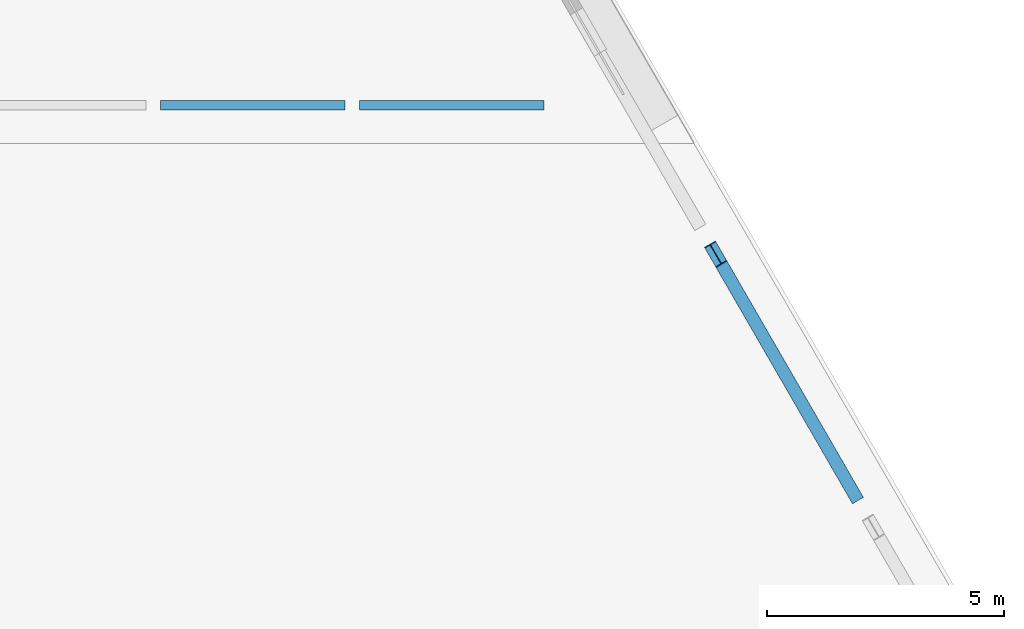
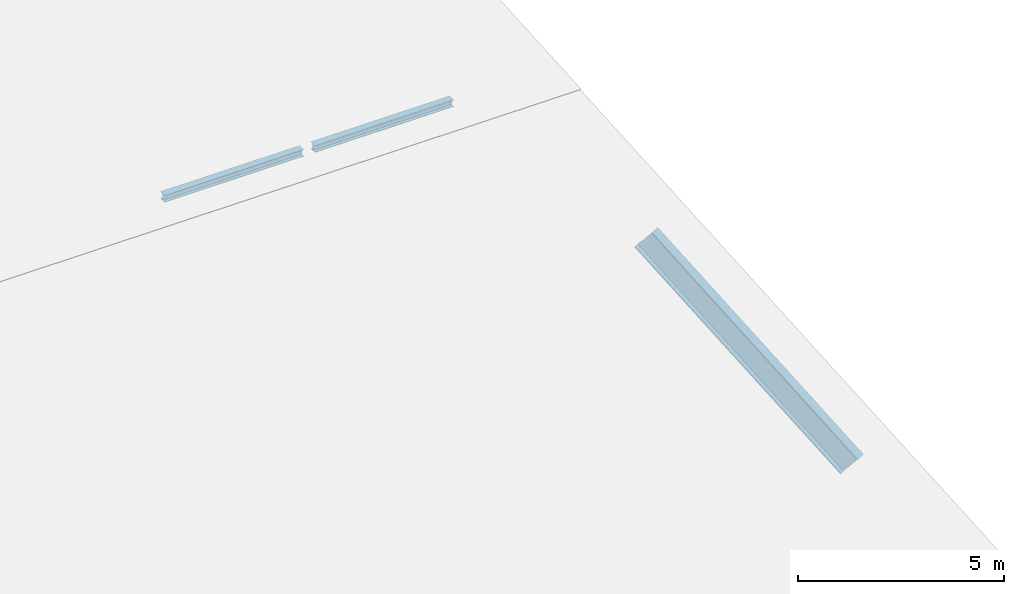
# One storey, part 3 of 7: 3 members.
"""IFC4 building model written with IfcOpenShell, lengths in metres."""

from ifc_helpers import new_model, si_unit, direction, frame, origin, origin_2d, place, context, subcontext, project, spatial, i_section, extrude, material, material_profile, profile_set, type_object, element, save


model = new_model("IFC4")

# Units and contexts
model_context = context("Model", 3, precision=1e-05, world=origin(), true_north=direction((0.0, 1.0)))
body_context = subcontext(model_context, "Body", "Model", "MODEL_VIEW")
ifc_project = project(units=[si_unit("LENGTHUNIT", "METRE"), si_unit("AREAUNIT", "SQUARE_METRE"), si_unit("VOLUMEUNIT", "CUBIC_METRE"), si_unit("PLANEANGLEUNIT", "RADIAN"), si_unit("MASSUNIT", "GRAM", prefix="KILO")], contexts=[model_context])

# Site, building, storey
site_placement = place(None, origin())
site = spatial("IfcSite", under=ifc_project, at=site_placement, CompositionType="ELEMENT")
building_placement = place(site_placement, origin())
building = spatial("IfcBuilding", under=site, at=building_placement, Name="Ostrander Bayou Hotel Tower", CompositionType="ELEMENT")
storey_placement = place(building_placement, frame((0.0, 0.0, 302.0)))
storey = spatial("IfcBuildingStorey", under=building, at=storey_placement, Name="Roof 74", CompositionType="ELEMENT", Elevation=302.0)

# Members
ifc_material_1 = material(Name="Steel ASTM A992", Category="steel")
ifc_material_profile_1 = material_profile(ifc_material_1, i_section(OverallWidth=0.203125, OverallDepth=0.203125, WebThickness=0.00732421875, FlangeThickness=0.010986328125, at=origin_2d()))
ifc_profile_set_1 = profile_set([ifc_material_profile_1], Name="Steel ASTM A992")
member_type_1 = type_object("IfcMemberType", Name="CP4 crown purlin W8x31", PredefinedType="PURLIN", material=ifc_profile_set_1)
member_1_placement = place(storey_placement, frame((0.15380859375, 13.322021484375, 0.30810546875), z_axis=(1.0, 0.0, 0.0), x_axis=(0.0, 1.0, 0.0)))
element("IfcMember", 1, at=member_1_placement, inside=storey, type_object=member_type_1, Name="CP4 P3-33", PredefinedType="PURLIN", context=body_context, shape_type="SweptSolid", body=[
    extrude(i_section(OverallWidth=0.203125, OverallDepth=0.203125, WebThickness=0.00732421875, FlangeThickness=0.010986328125, at=origin_2d()), origin(), (0.0, 0.0, 1.0), 3.892333984375),
])
member_2_placement = place(storey_placement, frame((4.35400390625, 13.322021484375, 0.30810546875), z_axis=(1.0, 0.0, 0.0), x_axis=(0.0, 1.0, 0.0)))
element("IfcMember", 2, at=member_2_placement, inside=storey, type_object=member_type_1, Name="CP4 P4-44", PredefinedType="PURLIN", context=body_context, shape_type="SweptSolid", body=[
    extrude(i_section(OverallWidth=0.203125, OverallDepth=0.203125, WebThickness=0.00732421875, FlangeThickness=0.010986328125, at=origin_2d()), origin(), (0.0, 0.0, 1.0), 3.89208984375),
])
ifc_material_2 = material(Name="Steel ASTM A992", Category="steel")
ifc_material_profile_2 = material_profile(ifc_material_2, i_section(OverallWidth=0.26708984375, OverallDepth=0.779052734375, WebThickness=0.0166015625, FlangeThickness=0.030029296875, at=origin_2d()))
ifc_profile_set_2 = profile_set([ifc_material_profile_2], Name="Steel ASTM A992")
member_type_2 = type_object("IfcMemberType", Name="CR2 crown rafter W30x148", PredefinedType="RAFTER", material=ifc_profile_set_2)
member_3_placement = place(storey_placement, frame((14.753662109375, 5.193115234375, -7.78173828125), z_axis=(-0.387453729233, 0.67109587763, 0.632067979518), x_axis=(-0.866027446915, -0.499996461177, 0.0)))
element("IfcMember", 3, at=member_3_placement, inside=storey, type_object=member_type_2, Name="CR2 NE 2", PredefinedType="RAFTER", context=body_context, shape_type="SweptSolid", body=[
    extrude(i_section(OverallWidth=0.26708984375, OverallDepth=0.779052734375, WebThickness=0.0166015625, FlangeThickness=0.030029296875, at=origin_2d()), origin(), (0.0, 0.0, 1.0), 7.431640625),
])

save(model, "model.ifc")
